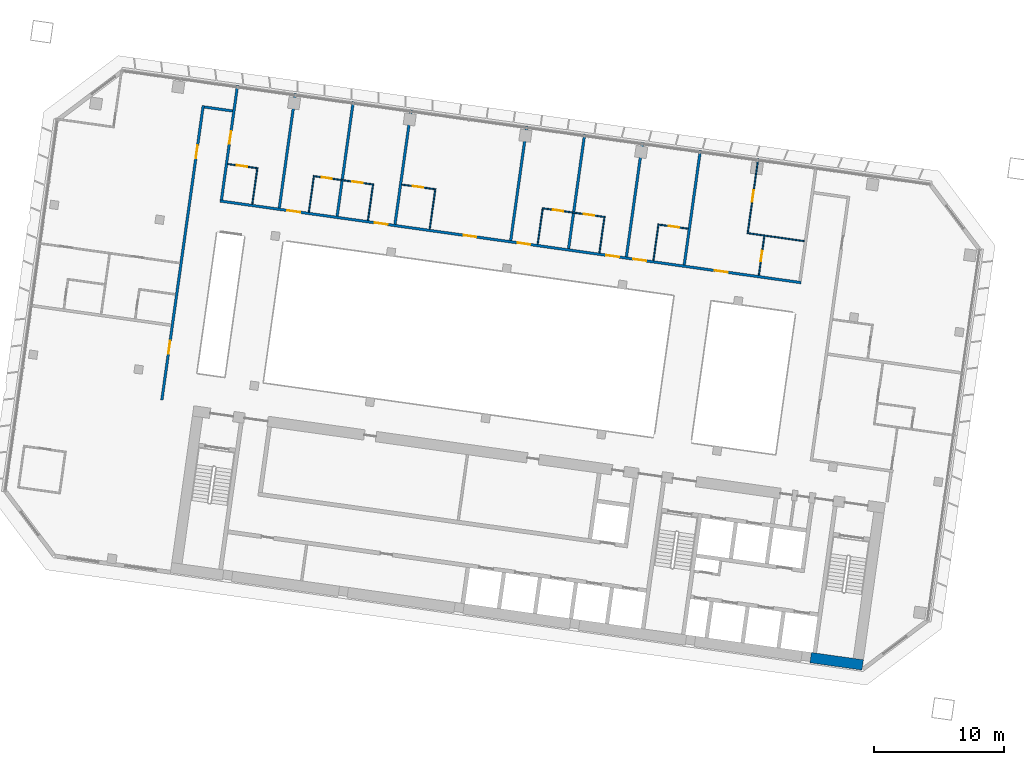
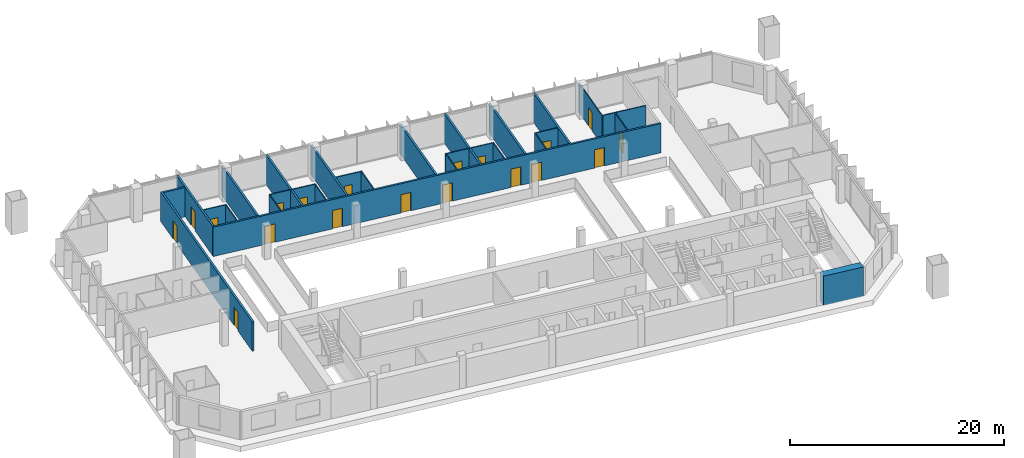
# One storey, part 16 of 24: 27 walls, 19 doors, 19 openings.
"""IFC4 building model written with IfcOpenShell, lengths in metres."""

from ifc_helpers import new_model, si_unit, direction, frame, frame_2d, origin, place, context, subcontext, project, spatial, rectangle, extrude, material, layer, layer_set, type_object, element, fill, save


model = new_model("IFC4")

# Units and contexts
model_context = context("Model", 3, precision=1e-05, world=origin(), true_north=direction((0.0, 1.0)))
body_context = subcontext(model_context, "Body", "Model", "MODEL_VIEW")
ifc_project = project(units=[si_unit("LENGTHUNIT", "METRE"), si_unit("AREAUNIT", "SQUARE_METRE"), si_unit("VOLUMEUNIT", "CUBIC_METRE"), si_unit("PLANEANGLEUNIT", "RADIAN"), si_unit("MASSUNIT", "GRAM", prefix="KILO")], contexts=[model_context])

# Site, building, storey
site_placement = place(None, origin())
site = spatial("IfcSite", under=ifc_project, at=site_placement, CompositionType="ELEMENT")
building_placement = place(site_placement, origin())
building = spatial("IfcBuilding", under=site, at=building_placement, Name="Mirante Cascada Hotel Towers", CompositionType="ELEMENT")
storey_placement = place(building_placement, frame((0.0, 0.0, 132.9)))
storey = spatial("IfcBuildingStorey", under=building, at=storey_placement, Name="L30", CompositionType="ELEMENT", Elevation=132.9)

# Wall, openings, doors
ifc_material_1 = material(Name="Fire-rated plasterboard on metal studs")
ifc_layer_1 = layer(ifc_material_1, 0.2)
ifc_layer_set_1 = layer_set([ifc_layer_1], Name="Compartment wall 200 EI 120")
wall_type_1 = type_object("IfcWallType", Name="Compartment wall 200 EI 120", PredefinedType="PARTITIONING", material=ifc_layer_set_1)
wall_1_placement = place(storey_placement, frame((-86.638, 16.0582, 0.0), z_axis=(0.0, 0.0, 1.0), x_axis=(0.9902681, -0.1391726, 0.0)))
wall_1 = element("IfcWall", 1, at=wall_1_placement, inside=storey, type_object=wall_type_1, Name="Wall 1-L30-12", PredefinedType="PARTITIONING", context=body_context, shape_type="SweptSolid", body=[
    extrude(rectangle(XDim=45.2, YDim=0.2, at=frame_2d((22.6, 0.0))), origin(), (0.0, 0.0, 1.0), 3.35),
])
opening_1_placement = place(wall_1_placement, frame((38.5, 0.0, 0.0)))
opening_1 = element("IfcOpeningElement", 2, at=opening_1_placement, cuts=wall_1, Name="Opening D1-L30-04", PredefinedType="OPENING", context=body_context, shape_type="SweptSolid", body=[
    extrude(rectangle(XDim=1.0, YDim=2.1, at=frame_2d((0.5, 1.05))), frame((0.0, 0.1, 0.0), z_axis=(0.0, -1.0, 0.0), x_axis=(1.0, 0.0, 0.0)), (0.0, 0.0, 1.0), 0.2),
])
opening_2_placement = place(wall_1_placement, frame((32.15, 0.0, 0.0)))
opening_2 = element("IfcOpeningElement", 3, at=opening_2_placement, cuts=wall_1, Name="Opening D1-L30-05", PredefinedType="OPENING", context=body_context, shape_type="SweptSolid", body=[
    extrude(rectangle(XDim=1.0, YDim=2.1, at=frame_2d((0.5, 1.05))), frame((0.0, 0.1, 0.0), z_axis=(0.0, -1.0, 0.0), x_axis=(1.0, 0.0, 0.0)), (0.0, 0.0, 1.0), 0.2),
])
opening_3_placement = place(wall_1_placement, frame((30.05, 0.0, 0.0)))
opening_3 = element("IfcOpeningElement", 4, at=opening_3_placement, cuts=wall_1, Name="Opening D1-L30-06", PredefinedType="OPENING", context=body_context, shape_type="SweptSolid", body=[
    extrude(rectangle(XDim=1.0, YDim=2.1, at=frame_2d((0.5, 1.05))), frame((0.0, 0.1, 0.0), z_axis=(0.0, -1.0, 0.0), x_axis=(1.0, 0.0, 0.0)), (0.0, 0.0, 1.0), 0.2),
])
opening_4_placement = place(wall_1_placement, frame((23.15, 0.0, 0.0)))
opening_4 = element("IfcOpeningElement", 5, at=opening_4_placement, cuts=wall_1, Name="Opening D1-L30-07", PredefinedType="OPENING", context=body_context, shape_type="SweptSolid", body=[
    extrude(rectangle(XDim=1.0, YDim=2.1, at=frame_2d((0.5, 1.05))), frame((0.0, 0.1, 0.0), z_axis=(0.0, -1.0, 0.0), x_axis=(1.0, 0.0, 0.0)), (0.0, 0.0, 1.0), 0.2),
])
opening_5_placement = place(wall_1_placement, frame((18.95, 0.0, 0.0)))
opening_5 = element("IfcOpeningElement", 6, at=opening_5_placement, cuts=wall_1, Name="Opening D1-L30-08", PredefinedType="OPENING", context=body_context, shape_type="SweptSolid", body=[
    extrude(rectangle(XDim=1.0, YDim=2.1, at=frame_2d((0.5, 1.05))), frame((0.0, 0.1, 0.0), z_axis=(0.0, -1.0, 0.0), x_axis=(1.0, 0.0, 0.0)), (0.0, 0.0, 1.0), 0.2),
])
opening_6_placement = place(wall_1_placement, frame((12.05, 0.0, 0.0)))
opening_6 = element("IfcOpeningElement", 7, at=opening_6_placement, cuts=wall_1, Name="Opening D1-L30-09", PredefinedType="OPENING", context=body_context, shape_type="SweptSolid", body=[
    extrude(rectangle(XDim=1.0, YDim=2.1, at=frame_2d((0.5, 1.05))), frame((0.0, 0.1, 0.0), z_axis=(0.0, -1.0, 0.0), x_axis=(1.0, 0.0, 0.0)), (0.0, 0.0, 1.0), 0.2),
])
opening_7_placement = place(wall_1_placement, frame((5.25, 0.0, 0.0)))
opening_7 = element("IfcOpeningElement", 8, at=opening_7_placement, cuts=wall_1, Name="Opening D1-L30-10", PredefinedType="OPENING", context=body_context, shape_type="SweptSolid", body=[
    extrude(rectangle(XDim=1.0, YDim=2.1, at=frame_2d((0.5, 1.05))), frame((0.0, 0.1, 0.0), z_axis=(0.0, -1.0, 0.0), x_axis=(1.0, 0.0, 0.0)), (0.0, 0.0, 1.0), 0.2),
])
ifc_material_2 = material(Name="Fire-rated timber door leaf", Category="wood")
door_type_1 = type_object("IfcDoorType", Name="Entrance door DG1 1000x2100 EI 60", OperationType="SINGLE_SWING_LEFT", PredefinedType="DOOR", material=ifc_material_2)
door_1_placement = place(opening_1_placement, origin())
door_1 = element("IfcDoor", 9, at=door_1_placement, inside=storey, type_object=door_type_1, Name="Door D1-L30-04", OperationType="SINGLE_SWING_LEFT", OverallHeight=2.1, OverallWidth=1.0, PredefinedType="DOOR", context=body_context, shape_type="SweptSolid", body=[
    extrude(rectangle(XDim=1.0, YDim=2.1, at=frame_2d((0.5, 1.05))), frame((0.0, 0.025, 0.0), z_axis=(0.0, -1.0, 0.0), x_axis=(1.0, 0.0, 0.0)), (0.0, 0.0, 1.0), 0.05),
])
fill(opening_1, door_1)
door_2_placement = place(opening_2_placement, origin())
door_2 = element("IfcDoor", 10, at=door_2_placement, inside=storey, type_object=door_type_1, Name="Door D1-L30-05", OperationType="SINGLE_SWING_LEFT", OverallHeight=2.1, OverallWidth=1.0, PredefinedType="DOOR", context=body_context, shape_type="SweptSolid", body=[
    extrude(rectangle(XDim=1.0, YDim=2.1, at=frame_2d((0.5, 1.05))), frame((0.0, 0.025, 0.0), z_axis=(0.0, -1.0, 0.0), x_axis=(1.0, 0.0, 0.0)), (0.0, 0.0, 1.0), 0.05),
])
fill(opening_2, door_2)
door_3_placement = place(opening_3_placement, origin())
door_3 = element("IfcDoor", 11, at=door_3_placement, inside=storey, type_object=door_type_1, Name="Door D1-L30-06", OperationType="SINGLE_SWING_LEFT", OverallHeight=2.1, OverallWidth=1.0, PredefinedType="DOOR", context=body_context, shape_type="SweptSolid", body=[
    extrude(rectangle(XDim=1.0, YDim=2.1, at=frame_2d((0.5, 1.05))), frame((0.0, 0.025, 0.0), z_axis=(0.0, -1.0, 0.0), x_axis=(1.0, 0.0, 0.0)), (0.0, 0.0, 1.0), 0.05),
])
fill(opening_3, door_3)
door_4_placement = place(opening_4_placement, origin())
door_4 = element("IfcDoor", 12, at=door_4_placement, inside=storey, type_object=door_type_1, Name="Door D1-L30-07", OperationType="SINGLE_SWING_LEFT", OverallHeight=2.1, OverallWidth=1.0, PredefinedType="DOOR", context=body_context, shape_type="SweptSolid", body=[
    extrude(rectangle(XDim=1.0, YDim=2.1, at=frame_2d((0.5, 1.05))), frame((0.0, 0.025, 0.0), z_axis=(0.0, -1.0, 0.0), x_axis=(1.0, 0.0, 0.0)), (0.0, 0.0, 1.0), 0.05),
])
fill(opening_4, door_4)
door_5_placement = place(opening_5_placement, origin())
door_5 = element("IfcDoor", 13, at=door_5_placement, inside=storey, type_object=door_type_1, Name="Door D1-L30-08", OperationType="SINGLE_SWING_LEFT", OverallHeight=2.1, OverallWidth=1.0, PredefinedType="DOOR", context=body_context, shape_type="SweptSolid", body=[
    extrude(rectangle(XDim=1.0, YDim=2.1, at=frame_2d((0.5, 1.05))), frame((0.0, 0.025, 0.0), z_axis=(0.0, -1.0, 0.0), x_axis=(1.0, 0.0, 0.0)), (0.0, 0.0, 1.0), 0.05),
])
fill(opening_5, door_5)
door_6_placement = place(opening_6_placement, origin())
door_6 = element("IfcDoor", 14, at=door_6_placement, inside=storey, type_object=door_type_1, Name="Door D1-L30-09", OperationType="SINGLE_SWING_LEFT", OverallHeight=2.1, OverallWidth=1.0, PredefinedType="DOOR", context=body_context, shape_type="SweptSolid", body=[
    extrude(rectangle(XDim=1.0, YDim=2.1, at=frame_2d((0.5, 1.05))), frame((0.0, 0.025, 0.0), z_axis=(0.0, -1.0, 0.0), x_axis=(1.0, 0.0, 0.0)), (0.0, 0.0, 1.0), 0.05),
])
fill(opening_6, door_6)
door_7_placement = place(opening_7_placement, origin())
door_7 = element("IfcDoor", 15, at=door_7_placement, inside=storey, type_object=door_type_1, Name="Door D1-L30-10", OperationType="SINGLE_SWING_LEFT", OverallHeight=2.1, OverallWidth=1.0, PredefinedType="DOOR", context=body_context, shape_type="SweptSolid", body=[
    extrude(rectangle(XDim=1.0, YDim=2.1, at=frame_2d((0.5, 1.05))), frame((0.0, 0.025, 0.0), z_axis=(0.0, -1.0, 0.0), x_axis=(1.0, 0.0, 0.0)), (0.0, 0.0, 1.0), 0.05),
])
fill(opening_7, door_7)

# Walls
wall_2_placement = place(storey_placement, frame((-85.6638, 22.9901, 0.0), z_axis=(0.0, 0.0, 1.0), x_axis=(-0.990267, 0.139181, 0.0)))
element("IfcWall", 16, at=wall_2_placement, inside=storey, type_object=wall_type_1, Name="Wall 1-L30-21", PredefinedType="PARTITIONING", context=body_context, shape_type="SweptSolid", body=[
    extrude(rectangle(XDim=2.2, YDim=0.2, at=frame_2d((1.1, 0.0))), origin(), (0.0, 0.0, 1.0), 3.35),
])
for number, where, z_axis, x_axis, name in (
    (17, (-50.8754, 11.1331, 0.0), (0.0, 0.0, 1.0), (0.1391794, 0.9902672, 0.0), "Wall 1-L30-31"),
    (18, (-55.3316, 11.7594, 0.0), (0.0, 0.0, 1.0), (0.1391794, 0.9902672, 0.0), "Wall 1-L30-33"),
):
    element("IfcWall", number, at=place(storey_placement, frame(where, z_axis=z_axis, x_axis=x_axis)), inside=storey, type_object=wall_type_1, Name=name, PredefinedType="PARTITIONING", context=body_context, shape_type="SweptSolid", body=[
        extrude(rectangle(XDim=8.9, YDim=0.2, at=frame_2d((4.45, 0.0))), origin(), (0.0, 0.0, 1.0), 3.35),
    ])
wall_3_placement = place(storey_placement, frame((-59.7878, 12.3857, 0.0), z_axis=(0.0, 0.0, 1.0), x_axis=(0.13917, 0.9902685, 0.0)))
element("IfcWall", 19, at=wall_3_placement, inside=storey, type_object=wall_type_1, Name="Wall 1-L30-35", PredefinedType="PARTITIONING", context=body_context, shape_type="SweptSolid", body=[
    extrude(rectangle(XDim=8.8999, YDim=0.2, at=frame_2d((4.45, 0.0))), origin(), (0.0, 0.0, 1.0), 3.35),
])
for number, where, z_axis, x_axis, name in (
    (20, (-64.244, 13.0119, 0.0), (0.0, 0.0, 1.0), (0.1391684, 0.9902687, 0.0), "Wall 1-L30-37"),
    (21, (-73.1564, 14.2645, 0.0), (0.0, 0.0, 1.0), (0.1391684, 0.9902687, 0.0), "Wall 1-L30-39"),
    (22, (-77.6126, 14.8908, 0.0), (0.0, 0.0, 1.0), (0.1391684, 0.9902687, 0.0), "Wall 1-L30-41"),
):
    element("IfcWall", number, at=place(storey_placement, frame(where, z_axis=z_axis, x_axis=x_axis)), inside=storey, type_object=wall_type_1, Name=name, PredefinedType="PARTITIONING", context=body_context, shape_type="SweptSolid", body=[
        extrude(rectangle(XDim=8.9, YDim=0.2, at=frame_2d((4.45, 0.0))), origin(), (0.0, 0.0, 1.0), 3.35),
    ])
wall_4_placement = place(storey_placement, frame((-82.0688, 15.5171, 0.0), z_axis=(0.0, 0.0, 1.0), x_axis=(0.13917, 0.9902685, 0.0)))
element("IfcWall", 23, at=wall_4_placement, inside=storey, type_object=wall_type_1, Name="Wall 1-L30-43", PredefinedType="PARTITIONING", context=body_context, shape_type="SweptSolid", body=[
    extrude(rectangle(XDim=8.8999, YDim=0.2, at=frame_2d((4.45, 0.0))), origin(), (0.0, 0.0, 1.0), 3.35),
])

# Wall, opening, door
wall_5_placement = place(storey_placement, frame((-86.525, 16.1433, 0.0), z_axis=(0.0, 0.0, 1.0), x_axis=(0.1391684, 0.9902687, 0.0)))
wall_5 = element("IfcWall", 24, at=wall_5_placement, inside=storey, type_object=wall_type_1, Name="Wall 1-L30-45", PredefinedType="PARTITIONING", context=body_context, shape_type="SweptSolid", body=[
    extrude(rectangle(XDim=8.9, YDim=0.2, at=frame_2d((4.45, 0.0))), origin(), (0.0, 0.0, 1.0), 3.35),
])
opening_8_placement = place(wall_5_placement, frame((4.35, 0.0, 0.0)))
opening_8 = element("IfcOpeningElement", 25, at=opening_8_placement, cuts=wall_5, Name="Opening D1-L30-26", PredefinedType="OPENING", context=body_context, shape_type="SweptSolid", body=[
    extrude(rectangle(XDim=1.0, YDim=2.1, at=frame_2d((0.5, 1.05))), frame((0.0, 0.1, 0.0), z_axis=(0.0, -1.0, 0.0), x_axis=(1.0, 0.0, 0.0)), (0.0, 0.0, 1.0), 0.2),
])
door_8_placement = place(opening_8_placement, frame((1.0, 0.0, 0.0), z_axis=(0.0, 0.0, 1.0), x_axis=(-1.0, 0.0, 0.0)))
door_8 = element("IfcDoor", 26, at=door_8_placement, inside=storey, type_object=door_type_1, Name="Door D1-L30-26", OperationType="SINGLE_SWING_RIGHT", OverallHeight=2.1, OverallWidth=1.0, PredefinedType="DOOR", context=body_context, shape_type="SweptSolid", body=[
    extrude(rectangle(XDim=1.0, YDim=2.1, at=frame_2d((0.5, 1.05))), frame((0.0, 0.025, 0.0), z_axis=(0.0, -1.0, 0.0), x_axis=(1.0, 0.0, 0.0)), (0.0, 0.0, 1.0), 0.05),
])
fill(opening_8, door_8)

# Wall, openings, doors
wall_6_placement = place(storey_placement, frame((-87.9275, 23.4092, 0.0), z_axis=(0.0, 0.0, 1.0), x_axis=(-0.1391706, -0.9902684, 0.0)))
wall_6 = element("IfcWall", 27, at=wall_6_placement, inside=storey, type_object=wall_type_1, Name="Wall 1-L30-46", PredefinedType="PARTITIONING", context=body_context, shape_type="SweptSolid", body=[
    extrude(rectangle(XDim=22.9, YDim=0.2, at=frame_2d((11.45, 0.0))), origin(), (0.0, 0.0, 1.0), 3.35),
])
opening_9_placement = place(wall_6_placement, frame((18.3, 0.0, 0.0)))
opening_9 = element("IfcOpeningElement", 28, at=opening_9_placement, cuts=wall_6, Name="Opening D1-L30-27", PredefinedType="OPENING", context=body_context, shape_type="SweptSolid", body=[
    extrude(rectangle(XDim=1.0, YDim=2.1, at=frame_2d((0.5, 1.05))), frame((0.0, 0.1, 0.0), z_axis=(0.0, -1.0, 0.0), x_axis=(1.0, 0.0, 0.0)), (0.0, 0.0, 1.0), 0.2),
])
opening_10_placement = place(wall_6_placement, frame((3.1, 0.0, 0.0)))
opening_10 = element("IfcOpeningElement", 29, at=opening_10_placement, cuts=wall_6, Name="Opening D1-L30-28", PredefinedType="OPENING", context=body_context, shape_type="SweptSolid", body=[
    extrude(rectangle(XDim=1.0, YDim=2.1, at=frame_2d((0.5, 1.05))), frame((0.0, 0.1, 0.0), z_axis=(0.0, -1.0, 0.0), x_axis=(1.0, 0.0, 0.0)), (0.0, 0.0, 1.0), 0.2),
])
door_9_placement = place(opening_9_placement, frame((1.0, 0.0, 0.0), z_axis=(0.0, 0.0, 1.0), x_axis=(-1.0, 0.0, 0.0)))
door_9 = element("IfcDoor", 30, at=door_9_placement, inside=storey, type_object=door_type_1, Name="Door D1-L30-27", OperationType="SINGLE_SWING_RIGHT", OverallHeight=2.1, OverallWidth=1.0, PredefinedType="DOOR", context=body_context, shape_type="SweptSolid", body=[
    extrude(rectangle(XDim=1.0, YDim=2.1, at=frame_2d((0.5, 1.05))), frame((0.0, 0.025, 0.0), z_axis=(0.0, -1.0, 0.0), x_axis=(1.0, 0.0, 0.0)), (0.0, 0.0, 1.0), 0.05),
])
fill(opening_9, door_9)
door_10_placement = place(opening_10_placement, frame((1.0, 0.0, 0.0), z_axis=(0.0, 0.0, 1.0), x_axis=(-1.0, 0.0, 0.0)))
door_10 = element("IfcDoor", 31, at=door_10_placement, inside=storey, type_object=door_type_1, Name="Door D1-L30-28", OperationType="SINGLE_SWING_RIGHT", OverallHeight=2.1, OverallWidth=1.0, PredefinedType="DOOR", context=body_context, shape_type="SweptSolid", body=[
    extrude(rectangle(XDim=1.0, YDim=2.1, at=frame_2d((0.5, 1.05))), frame((0.0, 0.025, 0.0), z_axis=(0.0, -1.0, 0.0), x_axis=(1.0, 0.0, 0.0)), (0.0, 0.0, 1.0), 0.05),
])
fill(opening_10, door_10)

# Wall, opening, door
ifc_material_3 = material(Name="Plasterboard on metal studs")
ifc_layer_2 = layer(ifc_material_3, 0.1)
ifc_layer_set_2 = layer_set([ifc_layer_2], Name="Partition 100")
wall_type_2 = type_object("IfcWallType", Name="Partition 100", PredefinedType="PARTITIONING", material=ifc_layer_set_2)
wall_7_placement = place(storey_placement, frame((-50.5847, 13.9198, 0.0), z_axis=(0.0, 0.0, 1.0), x_axis=(-0.9902705, 0.1391561, 0.0)))
wall_7 = element("IfcWall", 32, at=wall_7_placement, inside=storey, type_object=wall_type_2, Name="Wall 1-L30-13", PredefinedType="PARTITIONING", context=body_context, shape_type="SweptSolid", body=[
    extrude(rectangle(XDim=2.25, YDim=0.1, at=frame_2d((1.125, 0.0))), origin(), (0.0, 0.0, 1.0), 3.35),
])
opening_11_placement = place(wall_7_placement, frame((0.7, 0.0, 0.0)))
opening_11 = element("IfcOpeningElement", 33, at=opening_11_placement, cuts=wall_7, Name="Opening D1-L30-11", PredefinedType="OPENING", context=body_context, shape_type="SweptSolid", body=[
    extrude(rectangle(XDim=0.8, YDim=2.1, at=frame_2d((0.4, 1.05))), frame((0.0, 0.05, 0.0), z_axis=(0.0, -1.0, 0.0), x_axis=(1.0, 0.0, 0.0)), (0.0, 0.0, 1.0), 0.1),
])
ifc_material_4 = material(Name="Timber door leaf", Category="wood")
door_type_2 = type_object("IfcDoorType", Name="Bathroom door DG4 800x2100", OperationType="SINGLE_SWING_LEFT", PredefinedType="DOOR", material=ifc_material_4)
door_11_placement = place(opening_11_placement, frame((0.8, 0.0, 0.0), z_axis=(0.0, 0.0, 1.0), x_axis=(-1.0, 0.0, 0.0)))
door_11 = element("IfcDoor", 34, at=door_11_placement, inside=storey, type_object=door_type_2, Name="Door D1-L30-11", OperationType="SINGLE_SWING_RIGHT", OverallHeight=2.1, OverallWidth=0.8, PredefinedType="DOOR", context=body_context, shape_type="SweptSolid", body=[
    extrude(rectangle(XDim=0.8, YDim=2.1, at=frame_2d((0.4, 1.05))), frame((0.0, 0.025, 0.0), z_axis=(0.0, -1.0, 0.0), x_axis=(1.0, 0.0, 0.0)), (0.0, 0.0, 1.0), 0.05),
])
fill(opening_11, door_11)

# Wall, openings, doors
wall_8_placement = place(storey_placement, frame((-61.8243, 15.4994, 0.0), z_axis=(0.0, 0.0, 1.0), x_axis=(0.9902666, -0.1391838, 0.0)))
wall_8 = element("IfcWall", 35, at=wall_8_placement, inside=storey, type_object=wall_type_2, Name="Wall 1-L30-14", PredefinedType="PARTITIONING", context=body_context, shape_type="SweptSolid", body=[
    extrude(rectangle(XDim=4.9, YDim=0.1, at=frame_2d((2.45, 0.0))), origin(), (0.0, 0.0, 1.0), 3.35),
])
opening_12_placement = place(wall_8_placement, frame((3.25, 0.0, 0.0)))
opening_12 = element("IfcOpeningElement", 36, at=opening_12_placement, cuts=wall_8, Name="Opening D1-L30-12", PredefinedType="OPENING", context=body_context, shape_type="SweptSolid", body=[
    extrude(rectangle(XDim=0.8, YDim=2.1, at=frame_2d((0.4, 1.05))), frame((0.0, 0.05, 0.0), z_axis=(0.0, -1.0, 0.0), x_axis=(1.0, 0.0, 0.0)), (0.0, 0.0, 1.0), 0.1),
])
opening_13_placement = place(wall_8_placement, frame((0.85, 0.0, 0.0)))
opening_13 = element("IfcOpeningElement", 37, at=opening_13_placement, cuts=wall_8, Name="Opening D1-L30-13", PredefinedType="OPENING", context=body_context, shape_type="SweptSolid", body=[
    extrude(rectangle(XDim=0.8, YDim=2.1, at=frame_2d((0.4, 1.05))), frame((0.0, 0.05, 0.0), z_axis=(0.0, -1.0, 0.0), x_axis=(1.0, 0.0, 0.0)), (0.0, 0.0, 1.0), 0.1),
])
door_12_placement = place(opening_12_placement, origin())
door_12 = element("IfcDoor", 38, at=door_12_placement, inside=storey, type_object=door_type_2, Name="Door D1-L30-12", OperationType="SINGLE_SWING_LEFT", OverallHeight=2.1, OverallWidth=0.8, PredefinedType="DOOR", context=body_context, shape_type="SweptSolid", body=[
    extrude(rectangle(XDim=0.8, YDim=2.1, at=frame_2d((0.4, 1.05))), frame((0.0, 0.025, 0.0), z_axis=(0.0, -1.0, 0.0), x_axis=(1.0, 0.0, 0.0)), (0.0, 0.0, 1.0), 0.05),
])
fill(opening_12, door_12)
door_13_placement = place(opening_13_placement, origin())
door_13 = element("IfcDoor", 39, at=door_13_placement, inside=storey, type_object=door_type_2, Name="Door D1-L30-13", OperationType="SINGLE_SWING_LEFT", OverallHeight=2.1, OverallWidth=0.8, PredefinedType="DOOR", context=body_context, shape_type="SweptSolid", body=[
    extrude(rectangle(XDim=0.8, YDim=2.1, at=frame_2d((0.4, 1.05))), frame((0.0, 0.025, 0.0), z_axis=(0.0, -1.0, 0.0), x_axis=(1.0, 0.0, 0.0)), (0.0, 0.0, 1.0), 0.05),
])
fill(opening_13, door_13)

wall_9_placement = place(storey_placement, frame((-74.7968, 17.3226, 0.0), z_axis=(0.0, 0.0, 1.0), x_axis=(-0.9902682, 0.139172, 0.0)))
wall_9 = element("IfcWall", 40, at=wall_9_placement, inside=storey, type_object=wall_type_2, Name="Wall 1-L30-15", PredefinedType="PARTITIONING", context=body_context, shape_type="SweptSolid", body=[
    extrude(rectangle(XDim=4.6999, YDim=0.1, at=frame_2d((2.35, 0.0))), origin(), (0.0, 0.0, 1.0), 3.35),
])
opening_14_placement = place(wall_9_placement, frame((0.85, 0.0, 0.0)))
opening_14 = element("IfcOpeningElement", 41, at=opening_14_placement, cuts=wall_9, Name="Opening D1-L30-14", PredefinedType="OPENING", context=body_context, shape_type="SweptSolid", body=[
    extrude(rectangle(XDim=0.8, YDim=2.1, at=frame_2d((0.4, 1.05))), frame((0.0, 0.05, 0.0), z_axis=(0.0, -1.0, 0.0), x_axis=(1.0, 0.0, 0.0)), (0.0, 0.0, 1.0), 0.1),
])
opening_15_placement = place(wall_9_placement, frame((3.25, 0.0, 0.0)))
opening_15 = element("IfcOpeningElement", 42, at=opening_15_placement, cuts=wall_9, Name="Opening D1-L30-15", PredefinedType="OPENING", context=body_context, shape_type="SweptSolid", body=[
    extrude(rectangle(XDim=0.8, YDim=2.1, at=frame_2d((0.4, 1.05))), frame((0.0, 0.05, 0.0), z_axis=(0.0, -1.0, 0.0), x_axis=(1.0, 0.0, 0.0)), (0.0, 0.0, 1.0), 0.1),
])
door_14_placement = place(opening_14_placement, frame((0.8, 0.0, 0.0), z_axis=(0.0, 0.0, 1.0), x_axis=(-1.0, 0.0, 0.0)))
door_14 = element("IfcDoor", 43, at=door_14_placement, inside=storey, type_object=door_type_2, Name="Door D1-L30-14", OperationType="SINGLE_SWING_RIGHT", OverallHeight=2.1, OverallWidth=0.8, PredefinedType="DOOR", context=body_context, shape_type="SweptSolid", body=[
    extrude(rectangle(XDim=0.8, YDim=2.1, at=frame_2d((0.4, 1.05))), frame((0.0, 0.025, 0.0), z_axis=(0.0, -1.0, 0.0), x_axis=(1.0, 0.0, 0.0)), (0.0, 0.0, 1.0), 0.05),
])
fill(opening_14, door_14)
door_15_placement = place(opening_15_placement, frame((0.8, 0.0, 0.0), z_axis=(0.0, 0.0, 1.0), x_axis=(-1.0, 0.0, 0.0)))
door_15 = element("IfcDoor", 44, at=door_15_placement, inside=storey, type_object=door_type_2, Name="Door D1-L30-15", OperationType="SINGLE_SWING_RIGHT", OverallHeight=2.1, OverallWidth=0.8, PredefinedType="DOOR", context=body_context, shape_type="SweptSolid", body=[
    extrude(rectangle(XDim=0.8, YDim=2.1, at=frame_2d((0.4, 1.05))), frame((0.0, 0.025, 0.0), z_axis=(0.0, -1.0, 0.0), x_axis=(1.0, 0.0, 0.0)), (0.0, 0.0, 1.0), 0.05),
])
fill(opening_15, door_15)

# Wall, opening, door
wall_10_placement = place(storey_placement, frame((-86.0363, 18.9022, 0.0), z_axis=(0.0, 0.0, 1.0), x_axis=(0.9902643, -0.1391997, 0.0)))
wall_10 = element("IfcWall", 45, at=wall_10_placement, inside=storey, type_object=wall_type_2, Name="Wall 1-L30-16", PredefinedType="PARTITIONING", context=body_context, shape_type="SweptSolid", body=[
    extrude(rectangle(XDim=2.25, YDim=0.1, at=frame_2d((1.125, 0.0))), origin(), (0.0, 0.0, 1.0), 3.35),
])
opening_16_placement = place(wall_10_placement, frame((0.7, 0.0, 0.0)))
opening_16 = element("IfcOpeningElement", 46, at=opening_16_placement, cuts=wall_10, Name="Opening D1-L30-16", PredefinedType="OPENING", context=body_context, shape_type="SweptSolid", body=[
    extrude(rectangle(XDim=0.8, YDim=2.1, at=frame_2d((0.4, 1.05))), frame((0.0, 0.05, 0.0), z_axis=(0.0, -1.0, 0.0), x_axis=(1.0, 0.0, 0.0)), (0.0, 0.0, 1.0), 0.1),
])
door_16_placement = place(opening_16_placement, origin())
door_16 = element("IfcDoor", 47, at=door_16_placement, inside=storey, type_object=door_type_2, Name="Door D1-L30-16", OperationType="SINGLE_SWING_LEFT", OverallHeight=2.1, OverallWidth=0.8, PredefinedType="DOOR", context=body_context, shape_type="SweptSolid", body=[
    extrude(rectangle(XDim=0.8, YDim=2.1, at=frame_2d((0.4, 1.05))), frame((0.0, 0.025, 0.0), z_axis=(0.0, -1.0, 0.0), x_axis=(1.0, 0.0, 0.0)), (0.0, 0.0, 1.0), 0.05),
])
fill(opening_16, door_16)

# Wall
wall_11_placement = place(storey_placement, frame((-41.6306, 12.9643, 0.0), z_axis=(0.0, 0.0, 1.0), x_axis=(-0.9902679, 0.1391745, 0.0)))
element("IfcWall", 48, at=wall_11_placement, inside=storey, type_object=wall_type_2, Name="Wall 1-L30-17", PredefinedType="PARTITIONING", context=body_context, shape_type="SweptSolid", body=[
    extrude(rectangle(XDim=4.3499, YDim=0.1, at=frame_2d((2.175, 0.0))), origin(), (0.0, 0.0, 1.0), 3.35),
])

# Wall, opening, door
wall_12_placement = place(storey_placement, frame((-72.626, 17.3204, 0.0), z_axis=(0.0, 0.0, 1.0), x_axis=(0.9902677, -0.1391755, 0.0)))
wall_12 = element("IfcWall", 49, at=wall_12_placement, inside=storey, type_object=wall_type_2, Name="Wall 1-L30-18", PredefinedType="PARTITIONING", context=body_context, shape_type="SweptSolid", body=[
    extrude(rectangle(XDim=2.55, YDim=0.1, at=frame_2d((1.275, 0.0))), origin(), (0.0, 0.0, 1.0), 3.35),
])
opening_17_placement = place(wall_12_placement, frame((0.85, 0.0, 0.0)))
opening_17 = element("IfcOpeningElement", 50, at=opening_17_placement, cuts=wall_12, Name="Opening D1-L30-17", PredefinedType="OPENING", context=body_context, shape_type="SweptSolid", body=[
    extrude(rectangle(XDim=0.8, YDim=2.1, at=frame_2d((0.4, 1.05))), frame((0.0, 0.05, 0.0), z_axis=(0.0, -1.0, 0.0), x_axis=(1.0, 0.0, 0.0)), (0.0, 0.0, 1.0), 0.1),
])
door_17_placement = place(opening_17_placement, origin())
door_17 = element("IfcDoor", 51, at=door_17_placement, inside=storey, type_object=door_type_2, Name="Door D1-L30-17", OperationType="SINGLE_SWING_LEFT", OverallHeight=2.1, OverallWidth=0.8, PredefinedType="DOOR", context=body_context, shape_type="SweptSolid", body=[
    extrude(rectangle(XDim=0.8, YDim=2.1, at=frame_2d((0.4, 1.05))), frame((0.0, 0.025, 0.0), z_axis=(0.0, -1.0, 0.0), x_axis=(1.0, 0.0, 0.0)), (0.0, 0.0, 1.0), 0.05),
])
fill(opening_17, door_17)

wall_13_placement = place(storey_placement, frame((-45.1318, 10.3259, 0.0), z_axis=(0.0, 0.0, 1.0), x_axis=(0.1391488, 0.9902715, 0.0)))
wall_13 = element("IfcWall", 52, at=wall_13_placement, inside=storey, type_object=wall_type_2, Name="Wall 1-L30-29", PredefinedType="PARTITIONING", context=body_context, shape_type="SweptSolid", body=[
    extrude(rectangle(XDim=3.05, YDim=0.1, at=frame_2d((1.525, 0.0))), origin(), (0.0, 0.0, 1.0), 3.35),
])
opening_18_placement = place(wall_13_placement, frame((1.1, 0.0, 0.0)))
opening_18 = element("IfcOpeningElement", 53, at=opening_18_placement, cuts=wall_13, Name="Opening D1-L30-24", PredefinedType="OPENING", context=body_context, shape_type="SweptSolid", body=[
    extrude(rectangle(XDim=0.8, YDim=2.1, at=frame_2d((0.4, 1.05))), frame((0.0, 0.05, 0.0), z_axis=(0.0, -1.0, 0.0), x_axis=(1.0, 0.0, 0.0)), (0.0, 0.0, 1.0), 0.1),
])
door_18_placement = place(opening_18_placement, origin())
door_18 = element("IfcDoor", 54, at=door_18_placement, inside=storey, type_object=door_type_2, Name="Door D1-L30-24", OperationType="SINGLE_SWING_LEFT", OverallHeight=2.1, OverallWidth=0.8, PredefinedType="DOOR", context=body_context, shape_type="SweptSolid", body=[
    extrude(rectangle(XDim=0.8, YDim=2.1, at=frame_2d((0.4, 1.05))), frame((0.0, 0.025, 0.0), z_axis=(0.0, -1.0, 0.0), x_axis=(1.0, 0.0, 0.0)), (0.0, 0.0, 1.0), 0.05),
])
fill(opening_18, door_18)

wall_14_placement = place(storey_placement, frame((-45.1805, 19.3202, 0.0), z_axis=(0.0, 0.0, 1.0), x_axis=(-0.1391786, -0.9902673, 0.0)))
wall_14 = element("IfcWall", 55, at=wall_14_placement, inside=storey, type_object=wall_type_2, Name="Wall 1-L30-30", PredefinedType="PARTITIONING", context=body_context, shape_type="SweptSolid", body=[
    extrude(rectangle(XDim=5.85, YDim=0.1, at=frame_2d((2.925, 0.0))), origin(), (0.0, 0.0, 1.0), 3.35),
])
opening_19_placement = place(wall_14_placement, frame((2.45, 0.0, 0.0)))
opening_19 = element("IfcOpeningElement", 56, at=opening_19_placement, cuts=wall_14, Name="Opening D1-L30-25", PredefinedType="OPENING", context=body_context, shape_type="SweptSolid", body=[
    extrude(rectangle(XDim=0.9, YDim=2.1, at=frame_2d((0.45, 1.05))), frame((0.0, 0.05, 0.0), z_axis=(0.0, -1.0, 0.0), x_axis=(1.0, 0.0, 0.0)), (0.0, 0.0, 1.0), 0.1),
])
ifc_material_5 = material(Name="Timber door leaf", Category="wood")
door_type_3 = type_object("IfcDoorType", Name="Room door DG3 900x2100", OperationType="SINGLE_SWING_LEFT", PredefinedType="DOOR", material=ifc_material_5)
door_19_placement = place(opening_19_placement, frame((0.9, 0.0, 0.0), z_axis=(0.0, 0.0, 1.0), x_axis=(-1.0, 0.0, 0.0)))
door_19 = element("IfcDoor", 57, at=door_19_placement, inside=storey, type_object=door_type_3, Name="Door D1-L30-25", OperationType="SINGLE_SWING_RIGHT", OverallHeight=2.1, OverallWidth=0.9, PredefinedType="DOOR", context=body_context, shape_type="SweptSolid", body=[
    extrude(rectangle(XDim=0.9, YDim=2.1, at=frame_2d((0.45, 1.05))), frame((0.0, 0.025, 0.0), z_axis=(0.0, -1.0, 0.0), x_axis=(1.0, 0.0, 0.0)), (0.0, 0.0, 1.0), 0.05),
])
fill(opening_19, door_19)

# Walls
wall_15_placement = place(storey_placement, frame((-52.8554, 14.2894, 0.0), z_axis=(0.0, 0.0, 1.0), x_axis=(-0.1391564, -0.9902704, 0.0)))
element("IfcWall", 58, at=wall_15_placement, inside=storey, type_object=wall_type_2, Name="Wall 1-L30-32", PredefinedType="PARTITIONING", context=body_context, shape_type="SweptSolid", body=[
    extrude(rectangle(XDim=2.85, YDim=0.1, at=frame_2d((1.425, 0.0))), origin(), (0.0, 0.0, 1.0), 3.35),
])
wall_16_placement = place(storey_placement, frame((-57.0284, 14.7749, 0.0), z_axis=(0.0, 0.0, 1.0), x_axis=(-0.1391963, -0.9902648, 0.0)))
element("IfcWall", 59, at=wall_16_placement, inside=storey, type_object=wall_type_2, Name="Wall 1-L30-34", PredefinedType="PARTITIONING", context=body_context, shape_type="SweptSolid", body=[
    extrude(rectangle(XDim=2.7501, YDim=0.1, at=frame_2d((1.3751, 0.0))), origin(), (0.0, 0.0, 1.0), 3.35),
])
wall_17_placement = place(storey_placement, frame((-61.7817, 15.4429, 0.0), z_axis=(0.0, 0.0, 1.0), x_axis=(-0.1391657, -0.9902691, 0.0)))
element("IfcWall", 60, at=wall_17_placement, inside=storey, type_object=wall_type_2, Name="Wall 1-L30-36", PredefinedType="PARTITIONING", context=body_context, shape_type="SweptSolid", body=[
    extrude(rectangle(XDim=2.75, YDim=0.1, at=frame_2d((1.375, 0.0))), origin(), (0.0, 0.0, 1.0), 3.35),
])
wall_18_placement = place(storey_placement, frame((-70.0443, 17.0081, 0.0), z_axis=(0.0, 0.0, 1.0), x_axis=(-0.1391721, -0.9902682, 0.0)))
element("IfcWall", 61, at=wall_18_placement, inside=storey, type_object=wall_type_2, Name="Wall 1-L30-38", PredefinedType="PARTITIONING", context=body_context, shape_type="SweptSolid", body=[
    extrude(rectangle(XDim=3.1501, YDim=0.1, at=frame_2d((1.575, 0.0))), origin(), (0.0, 0.0, 1.0), 3.35),
])
for number, where, z_axis, x_axis, name in (
    (62, (-74.8533, 17.28, 0.0), (0.0, 0.0, 1.0), (-0.1391657, -0.9902691, 0.0), "Wall 1-L30-40"),
    (63, (-79.4085, 17.9202, 0.0), (0.0, 0.0, 1.0), (-0.1391657, -0.9902691, 0.0), "Wall 1-L30-42"),
):
    element("IfcWall", number, at=place(storey_placement, frame(where, z_axis=z_axis, x_axis=x_axis)), inside=storey, type_object=wall_type_2, Name=name, PredefinedType="PARTITIONING", context=body_context, shape_type="SweptSolid", body=[
        extrude(rectangle(XDim=2.75, YDim=0.1, at=frame_2d((1.375, 0.0))), origin(), (0.0, 0.0, 1.0), 3.35),
    ])
wall_19_placement = place(storey_placement, frame((-83.7517, 18.6316, 0.0), z_axis=(0.0, 0.0, 1.0), x_axis=(-0.1391909, -0.9902656, 0.0)))
element("IfcWall", 64, at=wall_19_placement, inside=storey, type_object=wall_type_2, Name="Wall 1-L30-44", PredefinedType="PARTITIONING", context=body_context, shape_type="SweptSolid", body=[
    extrude(rectangle(XDim=2.85, YDim=0.1, at=frame_2d((1.425, 0.0))), origin(), (0.0, 0.0, 1.0), 3.35),
])
ifc_material_6 = material(Name="Concrete C50/60", Category="concrete")
ifc_layer_3 = layer(ifc_material_6, 0.8)
ifc_layer_set_3 = layer_set([ifc_layer_3], Name="RC core wall 800 C50/60")
wall_type_3 = type_object("IfcWallType", Name="RC core wall 800 C50/60", PredefinedType="SHEAR", material=ifc_layer_set_3)
wall_20_placement = place(storey_placement, frame((-37.1299, -19.6798, 0.0), z_axis=(0.0, 0.0, 1.0), x_axis=(-0.9902665, 0.1391845, 0.0)))
element("IfcWall", 65, at=wall_20_placement, inside=storey, type_object=wall_type_3, Name="Core wall T1:L30:1.1", PredefinedType="SHEAR", context=body_context, shape_type="SweptSolid", body=[
    extrude(rectangle(XDim=4.05, YDim=0.8, at=frame_2d((2.025, 0.0))), origin(), (0.0, 0.0, 1.0), 3.35),
])

save(model, "model.ifc")
